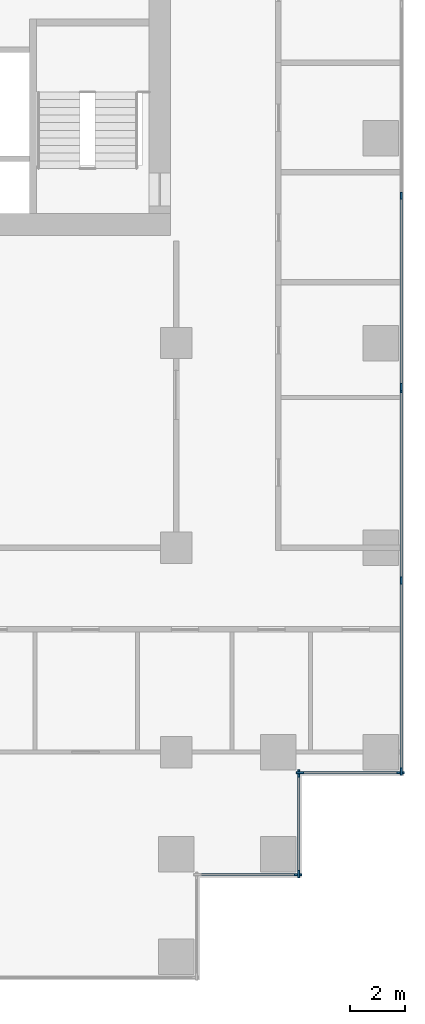
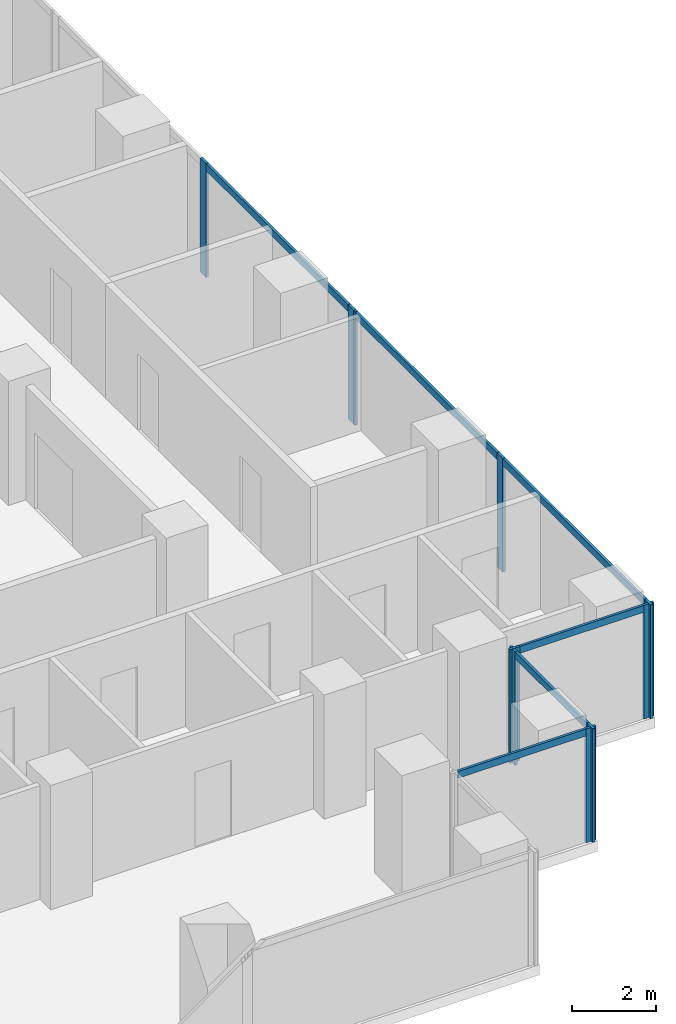
# One storey, part 3 of 10: 16 members, 5 elements without a shape of their own.
"""IFC4 building model written with IfcOpenShell, lengths in metres."""

from ifc_helpers import new_model, si_unit, direction, frame, origin, origin_2d, place, context, subcontext, project, spatial, rectangle, extrude, material, material_profile, profile_set, type_object, element, aggregate, save


model = new_model("IFC4")

# Units and contexts
model_context = context("Model", 3, precision=1e-05, world=origin(), true_north=direction((0.0, 1.0)))
body_context = subcontext(model_context, "Body", "Model", "MODEL_VIEW")
ifc_project = project(units=[si_unit("LENGTHUNIT", "METRE"), si_unit("AREAUNIT", "SQUARE_METRE"), si_unit("VOLUMEUNIT", "CUBIC_METRE"), si_unit("PLANEANGLEUNIT", "RADIAN"), si_unit("MASSUNIT", "GRAM", prefix="KILO")], contexts=[model_context])

# Site, building, storey
site_placement = place(None, origin())
site = spatial("IfcSite", under=ifc_project, at=site_placement, CompositionType="ELEMENT")
building_placement = place(site_placement, origin())
building = spatial("IfcBuilding", under=site, at=building_placement, Name="Pilkhan Gate Tower", CompositionType="ELEMENT")
storey_placement = place(building_placement, frame((0.0, 0.0, 139.60009765625)))
storey = spatial("IfcBuildingStorey", under=building, at=storey_placement, Name="L35", CompositionType="ELEMENT", Elevation=139.60009765625)

# Curtain wall, members
ifc_material_1 = material(Name="Pale anodised aluminium, clear low-iron double glazing", Category="aluminium")
curtain_wall_type = type_object("IfcCurtainWallType", Name="Office unitised curtain wall CW-O1", PredefinedType="USERDEFINED", material=ifc_material_1)
curtain_wall_1_placement = place(storey_placement, origin())
curtain_wall_1 = element("IfcCurtainWall", 1, at=curtain_wall_1_placement, inside=storey, type_object=curtain_wall_type, Name="Office unitised curtain wall CW-O1 L35 E", ObjectType="UNITISED CURTAIN WALL", PredefinedType="USERDEFINED")
ifc_material_2 = material(Name="Pale anodised aluminium", Category="aluminium")
ifc_material_profile_1 = material_profile(ifc_material_2, rectangle(XDim=0.070068359375, YDim=0.27490234375, at=origin_2d()), Name="Mullion 275x70")
ifc_profile_set_1 = profile_set([ifc_material_profile_1], Name="Pale anodised aluminium")
member_type_1 = type_object("IfcMemberType", Name="Mullion CW-O1 275x70", PredefinedType="MULLION", material=ifc_profile_set_1)
member_1_placement = place(storey_placement, frame((98.25, 51.784912109375, 0.0), z_axis=(0.0, 0.0, 1.0), x_axis=(-1.0, 0.0, 0.0)))
member_1 = element("IfcMember", 2, at=member_1_placement, type_object=member_type_1, Name="CW-O1 mullion 1", PredefinedType="MULLION", context=body_context, shape_type="SweptSolid", body=[
    extrude(rectangle(XDim=0.070068359375, YDim=0.27490234375, at=origin_2d()), origin(), (0.0, 0.0, 1.0), 3.2998046875),
])
member_2_placement = place(storey_placement, frame((98.25, 58.800048828125, 0.0), z_axis=(0.0, 0.0, 1.0), x_axis=(-1.0, 0.0, 0.0)))
member_2 = element("IfcMember", 3, at=member_2_placement, type_object=member_type_1, Name="CW-O1 mullion 2", PredefinedType="MULLION", context=body_context, shape_type="SweptSolid", body=[
    extrude(rectangle(XDim=0.070068359375, YDim=0.27490234375, at=origin_2d()), origin(), (0.0, 0.0, 1.0), 3.2998046875),
])
member_3_placement = place(storey_placement, frame((98.25, 65.81494140625, 0.0), z_axis=(0.0, 0.0, 1.0), x_axis=(-1.0, 0.0, 0.0)))
member_3 = element("IfcMember", 4, at=member_3_placement, type_object=member_type_1, Name="CW-O1 mullion 3", PredefinedType="MULLION", context=body_context, shape_type="SweptSolid", body=[
    extrude(rectangle(XDim=0.070068359375, YDim=0.27490234375, at=origin_2d()), origin(), (0.0, 0.0, 1.0), 3.2998046875),
])

curtain_wall_2_placement = place(storey_placement, origin())
curtain_wall_2 = element("IfcCurtainWall", 5, at=curtain_wall_2_placement, inside=storey, type_object=curtain_wall_type, Name="Office unitised curtain wall CW-O1 L35 E", ObjectType="UNITISED CURTAIN WALL", PredefinedType="USERDEFINED")
member_4_placement = place(storey_placement, frame((98.25, 65.885009765625, 0.0), z_axis=(0.0, 0.0, 1.0), x_axis=(-1.0, 0.0, 0.0)))
member_4 = element("IfcMember", 6, at=member_4_placement, type_object=member_type_1, Name="CW-O1 mullion 1", PredefinedType="MULLION", context=body_context, shape_type="SweptSolid", body=[
    extrude(rectangle(XDim=0.070068359375, YDim=0.27490234375, at=origin_2d()), origin(), (0.0, 0.0, 1.0), 3.2998046875),
])
member_5_placement = place(storey_placement, frame((98.25, 72.89990234375, 0.0), z_axis=(0.0, 0.0, 1.0), x_axis=(-1.0, 0.0, 0.0)))
member_5 = element("IfcMember", 7, at=member_5_placement, type_object=member_type_1, Name="CW-O1 mullion 2", PredefinedType="MULLION", context=body_context, shape_type="SweptSolid", body=[
    extrude(rectangle(XDim=0.070068359375, YDim=0.27490234375, at=origin_2d()), origin(), (0.0, 0.0, 1.0), 3.2998046875),
])

# Curtain wall, member
curtain_wall_3_placement = place(storey_placement, origin())
curtain_wall_3 = element("IfcCurtainWall", 8, at=curtain_wall_3_placement, inside=storey, type_object=curtain_wall_type, Name="Office unitised curtain wall CW-O1 L35 S", ObjectType="UNITISED CURTAIN WALL", PredefinedType="USERDEFINED")
member_6_placement = place(storey_placement, frame((94.465087890625, 48.0, 0.0), z_axis=(0.0, 0.0, 1.0), x_axis=(0.0, 1.0, 0.0)))
member_6 = element("IfcMember", 9, at=member_6_placement, type_object=member_type_1, Name="CW-O1 mullion 2", PredefinedType="MULLION", context=body_context, shape_type="SweptSolid", body=[
    extrude(rectangle(XDim=0.070068359375, YDim=0.27490234375, at=origin_2d()), origin(), (0.0, 0.0, 1.0), 3.2998046875),
])

# Curtain wall, members
curtain_wall_4_placement = place(storey_placement, origin())
curtain_wall_4 = element("IfcCurtainWall", 10, at=curtain_wall_4_placement, inside=storey, type_object=curtain_wall_type, Name="Office unitised curtain wall CW-O1 L35 E", ObjectType="UNITISED CURTAIN WALL", PredefinedType="USERDEFINED")
member_7_placement = place(storey_placement, frame((94.5, 48.034912109375, 0.0), z_axis=(0.0, 0.0, 1.0), x_axis=(-1.0, 0.0, 0.0)))
member_7 = element("IfcMember", 11, at=member_7_placement, type_object=member_type_1, Name="CW-O1 mullion 1", PredefinedType="MULLION", context=body_context, shape_type="SweptSolid", body=[
    extrude(rectangle(XDim=0.070068359375, YDim=0.27490234375, at=origin_2d()), origin(), (0.0, 0.0, 1.0), 3.2998046875),
])
member_8_placement = place(storey_placement, frame((94.5, 51.715087890625, 0.0), z_axis=(0.0, 0.0, 1.0), x_axis=(-1.0, 0.0, 0.0)))
member_8 = element("IfcMember", 12, at=member_8_placement, type_object=member_type_1, Name="CW-O1 mullion 2", PredefinedType="MULLION", context=body_context, shape_type="SweptSolid", body=[
    extrude(rectangle(XDim=0.070068359375, YDim=0.27490234375, at=origin_2d()), origin(), (0.0, 0.0, 1.0), 3.2998046875),
])

curtain_wall_5_placement = place(storey_placement, origin())
curtain_wall_5 = element("IfcCurtainWall", 13, at=curtain_wall_5_placement, inside=storey, type_object=curtain_wall_type, Name="Office unitised curtain wall CW-O1 L35 S", ObjectType="UNITISED CURTAIN WALL", PredefinedType="USERDEFINED")
member_9_placement = place(storey_placement, frame((94.534912109375, 51.75, 0.0), z_axis=(0.0, 0.0, 1.0), x_axis=(0.0, 1.0, 0.0)))
member_9 = element("IfcMember", 14, at=member_9_placement, type_object=member_type_1, Name="CW-O1 mullion 1", PredefinedType="MULLION", context=body_context, shape_type="SweptSolid", body=[
    extrude(rectangle(XDim=0.070068359375, YDim=0.27490234375, at=origin_2d()), origin(), (0.0, 0.0, 1.0), 3.2998046875),
])
member_10_placement = place(storey_placement, frame((98.215087890625, 51.75, 0.0), z_axis=(0.0, 0.0, 1.0), x_axis=(0.0, 1.0, 0.0)))
member_10 = element("IfcMember", 15, at=member_10_placement, type_object=member_type_1, Name="CW-O1 mullion 2", PredefinedType="MULLION", context=body_context, shape_type="SweptSolid", body=[
    extrude(rectangle(XDim=0.070068359375, YDim=0.27490234375, at=origin_2d()), origin(), (0.0, 0.0, 1.0), 3.2998046875),
])

# Member
ifc_material_profile_2 = material_profile(ifc_material_2, rectangle(XDim=0.070068359375, YDim=0.199951171875, at=origin_2d()), Name="Transom 200x70")
ifc_profile_set_2 = profile_set([ifc_material_profile_2], Name="Pale anodised aluminium")
member_type_2 = type_object("IfcMemberType", Name="Transom CW-O1 200x70", PredefinedType="USERDEFINED", material=ifc_profile_set_2)
member_11_placement = place(storey_placement, frame((98.25, 51.820068359375, 3.199951171875), z_axis=(0.0, 1.0, 0.0), x_axis=(-1.0, 0.0, 0.0)))
member_11 = element("IfcMember", 16, at=member_11_placement, type_object=member_type_2, Name="CW-O1 transom 1", ObjectType="TRANSOM", PredefinedType="USERDEFINED", context=body_context, shape_type="SweptSolid", body=[
    extrude(rectangle(XDim=0.070068359375, YDim=0.199951171875, at=origin_2d()), origin(), (0.0, 0.0, 1.0), 6.94482421875),
])

member_12_placement = place(storey_placement, frame((98.25, 58.8349609375, 3.199951171875), z_axis=(0.0, 1.0, 0.0), x_axis=(-1.0, 0.0, 0.0)))
member_12 = element("IfcMember", 17, at=member_12_placement, type_object=member_type_2, Name="CW-O1 transom 2", ObjectType="TRANSOM", PredefinedType="USERDEFINED", context=body_context, shape_type="SweptSolid", body=[
    extrude(rectangle(XDim=0.070068359375, YDim=0.199951171875, at=origin_2d()), origin(), (0.0, 0.0, 1.0), 6.945068359375),
])

aggregate(curtain_wall_1, [member_1, member_2, member_3, member_11, member_12])

member_13_placement = place(storey_placement, frame((98.25, 65.919921875, 3.199951171875), z_axis=(0.0, 1.0, 0.0), x_axis=(-1.0, 0.0, 0.0)))
member_13 = element("IfcMember", 18, at=member_13_placement, type_object=member_type_2, Name="CW-O1 transom 1", ObjectType="TRANSOM", PredefinedType="USERDEFINED", context=body_context, shape_type="SweptSolid", body=[
    extrude(rectangle(XDim=0.070068359375, YDim=0.199951171875, at=origin_2d()), origin(), (0.0, 0.0, 1.0), 6.945068359375),
])

aggregate(curtain_wall_2, [member_4, member_5, member_13])

member_14_placement = place(storey_placement, frame((90.820068359375, 48.0, 3.199951171875), z_axis=(1.0, 0.0, 0.0), x_axis=(0.0, 1.0, 0.0)))
member_14 = element("IfcMember", 19, at=member_14_placement, type_object=member_type_2, Name="CW-O1 transom 1", ObjectType="TRANSOM", PredefinedType="USERDEFINED", context=body_context, shape_type="SweptSolid", body=[
    extrude(rectangle(XDim=0.070068359375, YDim=0.199951171875, at=origin_2d()), origin(), (0.0, 0.0, 1.0), 3.60986328125),
])

aggregate(curtain_wall_3, [member_6, member_14])

member_15_placement = place(storey_placement, frame((94.5, 48.070068359375, 3.199951171875), z_axis=(0.0, 1.0, 0.0), x_axis=(-1.0, 0.0, 0.0)))
member_15 = element("IfcMember", 20, at=member_15_placement, type_object=member_type_2, Name="CW-O1 transom 1", ObjectType="TRANSOM", PredefinedType="USERDEFINED", context=body_context, shape_type="SweptSolid", body=[
    extrude(rectangle(XDim=0.070068359375, YDim=0.199951171875, at=origin_2d()), origin(), (0.0, 0.0, 1.0), 3.60986328125),
])

aggregate(curtain_wall_4, [member_7, member_8, member_15])

member_16_placement = place(storey_placement, frame((94.570068359375, 51.75, 3.199951171875), z_axis=(1.0, 0.0, 0.0), x_axis=(0.0, 1.0, 0.0)))
member_16 = element("IfcMember", 21, at=member_16_placement, type_object=member_type_2, Name="CW-O1 transom 1", ObjectType="TRANSOM", PredefinedType="USERDEFINED", context=body_context, shape_type="SweptSolid", body=[
    extrude(rectangle(XDim=0.070068359375, YDim=0.199951171875, at=origin_2d()), origin(), (0.0, 0.0, 1.0), 3.60986328125),
])

aggregate(curtain_wall_5, [member_9, member_10, member_16])

save(model, "model.ifc")
